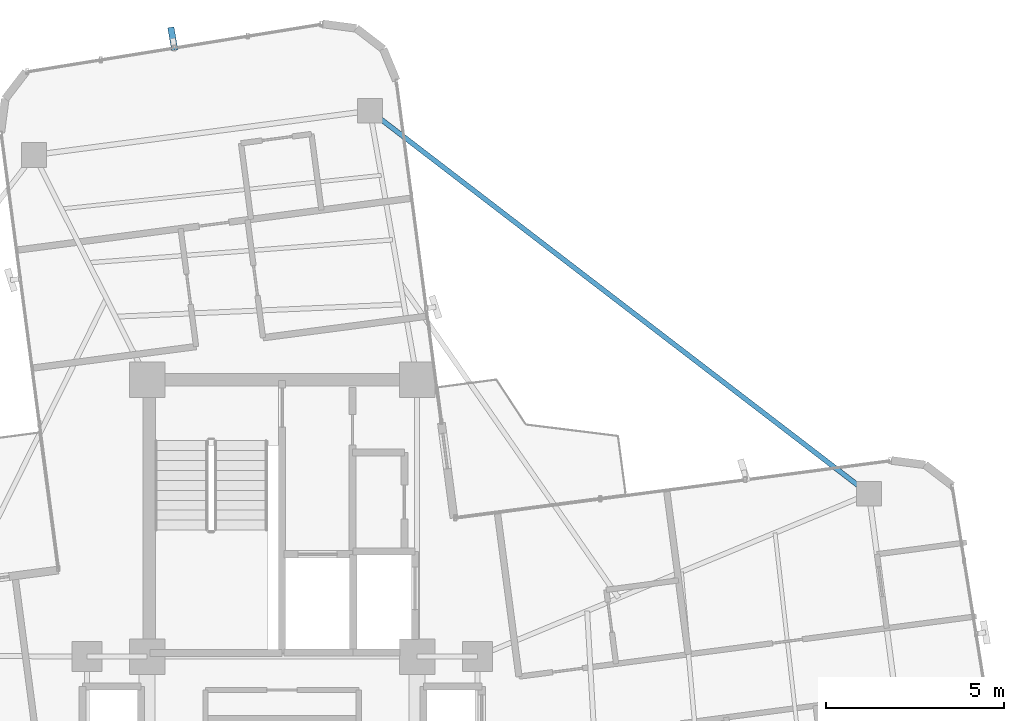
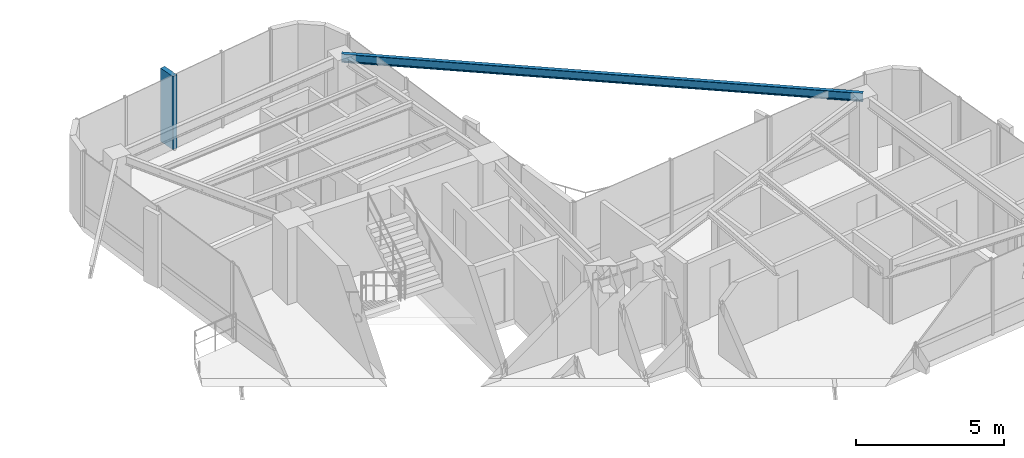
# One storey, part 15 of 22: 1 beam, 1 member, 1 element without a shape of its own.
"""IFC4 building model written with IfcOpenShell, lengths in metres."""

from ifc_helpers import new_model, si_unit, direction, frame, origin, origin_2d, place, context, subcontext, project, spatial, rectangle, i_section, extrude, source, transform, mapped, material, material_profile, profile_set, type_object, element, aggregate, save


model = new_model("IFC4")

# Units and contexts
model_context = context("Model", 3, precision=1e-05, world=origin(), true_north=direction((0.0, 1.0)))
body_context = subcontext(model_context, "Body", "Model", "MODEL_VIEW")
ifc_project = project(units=[si_unit("LENGTHUNIT", "METRE"), si_unit("AREAUNIT", "SQUARE_METRE"), si_unit("VOLUMEUNIT", "CUBIC_METRE"), si_unit("PLANEANGLEUNIT", "RADIAN"), si_unit("MASSUNIT", "GRAM", prefix="KILO")], contexts=[model_context])

# Site, building, storey
site_placement = place(None, origin())
site = spatial("IfcSite", under=ifc_project, at=site_placement, CompositionType="ELEMENT")
building_placement = place(site_placement, origin())
building = spatial("IfcBuilding", under=site, at=building_placement, Name="Sahyath Konkavel Grand Hotel", CompositionType="ELEMENT")
storey_placement = place(building_placement, frame((0.0, 0.0, 244.5)))
storey = spatial("IfcBuildingStorey", under=building, at=storey_placement, Name="L68", CompositionType="ELEMENT", Elevation=244.5)

# Beam
ifc_material_1 = material(Name="Steel E350", Category="steel")
ifc_material_profile_1 = material_profile(ifc_material_1, i_section(OverallWidth=0.139892578125, OverallDepth=0.35009765625, WebThickness=0.008056640625, FlangeThickness=0.01416015625, FilletRadius=0.013916015625, at=origin_2d()), Name="ISMB 350")
ifc_profile_set_1 = profile_set([ifc_material_profile_1], Name="Steel E350")
beam_type = type_object("IfcBeamType", Name="BM-ISMB350", PredefinedType="BEAM", material=ifc_profile_set_1)
shared_shape_1 = source(origin(), body_context, "Body", "SweptSolid", [
    extrude(i_section(OverallWidth=0.139892578125, OverallDepth=0.35009765625, WebThickness=0.008056640625, FlangeThickness=0.01416015625, FilletRadius=0.013916015625, at=origin_2d()), origin(), (0.0, 0.0, 1.0), 17.71435546875),
])
beam_placement = place(storey_placement, frame((16.522705078125, 6.9833984375, 2.93505859375), z_axis=(-0.793349418007, 0.608766540595, 0.0), x_axis=(-0.608766540595, -0.793349418007, 0.0)))
element("IfcBeam", 1, at=beam_placement, inside=storey, type_object=beam_type, Name="L68 Re-Entrant Tie Beam NE", PredefinedType="BEAM", context=body_context, shape_type="MappedRepresentation", body=[
    mapped(shared_shape_1, transform((0.0, 0.0, 0.0), scale=1.0)),
])

# Curtain wall, member
ifc_material_2 = material(Name="Anodised Bronze Aluminium & Low-E Glazing", Category="aluminium")
curtain_wall_type = type_object("IfcCurtainWallType", Name="CW-ZONE4", PredefinedType="NOTDEFINED", material=ifc_material_2)
curtain_wall_placement = place(storey_placement, origin())
curtain_wall = element("IfcCurtainWall", 2, at=curtain_wall_placement, inside=storey, type_object=curtain_wall_type, Name="L68 Unitised Curtain Wall F12", PredefinedType="NOTDEFINED")
ifc_material_3 = material(Name="Warm Buff Sandstone Cladding on Concrete C50/60", Category="masonry")
ifc_material_profile_2 = material_profile(ifc_material_3, rectangle(XDim=0.179931640625, YDim=0.64990234375, at=origin_2d()), Name="FIN 180x650")
ifc_profile_set_2 = profile_set([ifc_material_profile_2], Name="Warm Buff Sandstone Cladding on Concrete C50/60")
member_type = type_object("IfcMemberType", Name="FIN-SANDSTONE-650", PredefinedType="MULLION", material=ifc_profile_set_2)
shared_shape_2 = source(origin(), body_context, "Body", "SweptSolid", [
    extrude(rectangle(XDim=0.179931640625, YDim=0.64990234375, at=origin_2d()), origin(), (0.0, 0.0, 1.0), 3.010009765625),
])
member_placement = place(storey_placement, frame((-3.080322265625, 19.79638671875, 0.050048828125), z_axis=(0.0, 0.0, 1.0), x_axis=(0.985169280715, 0.171585221787, 0.0)))
member = element("IfcMember", 3, at=member_placement, type_object=member_type, Name="L68 Sandstone Vertical Solar Fin FIN F12-2", PredefinedType="MULLION", context=body_context, shape_type="MappedRepresentation", body=[
    mapped(shared_shape_2, transform((0.0, 0.0, 0.0), scale=1.0)),
])
aggregate(curtain_wall, [member])

save(model, "model.ifc")
